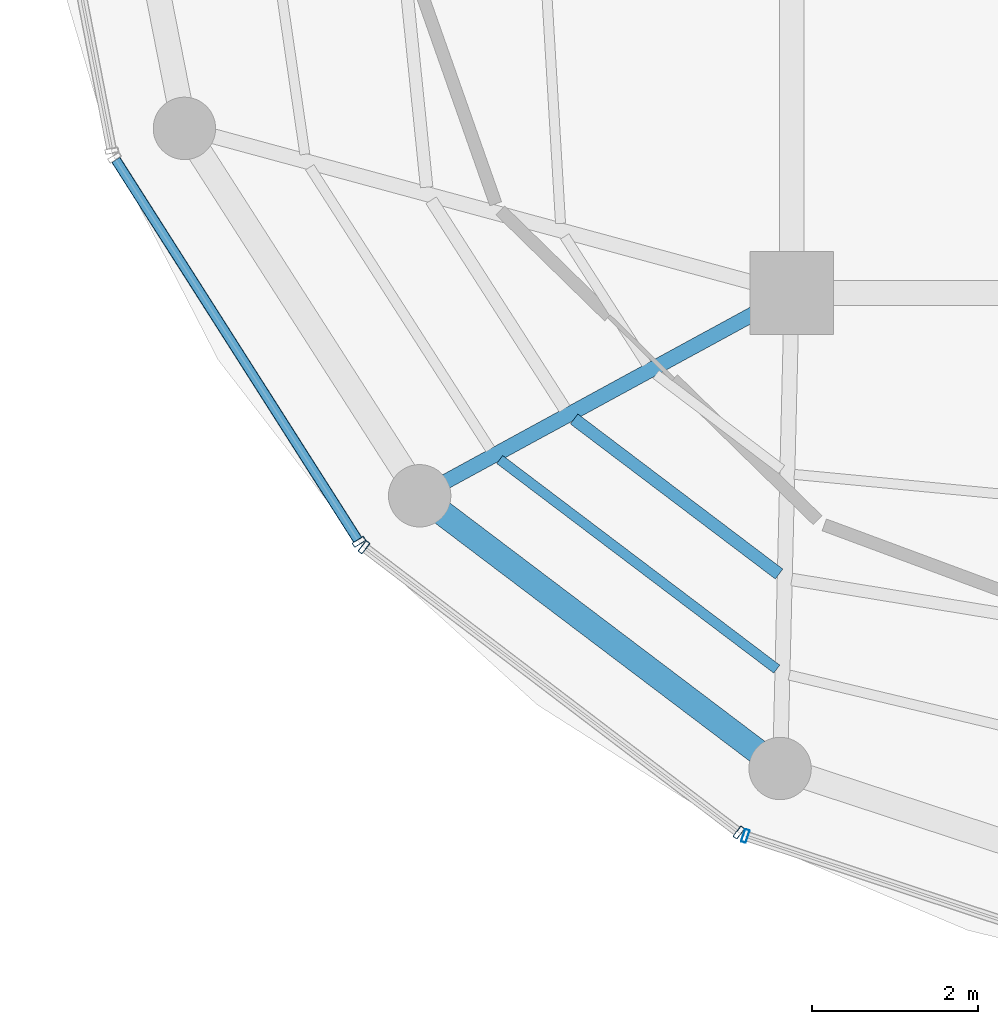
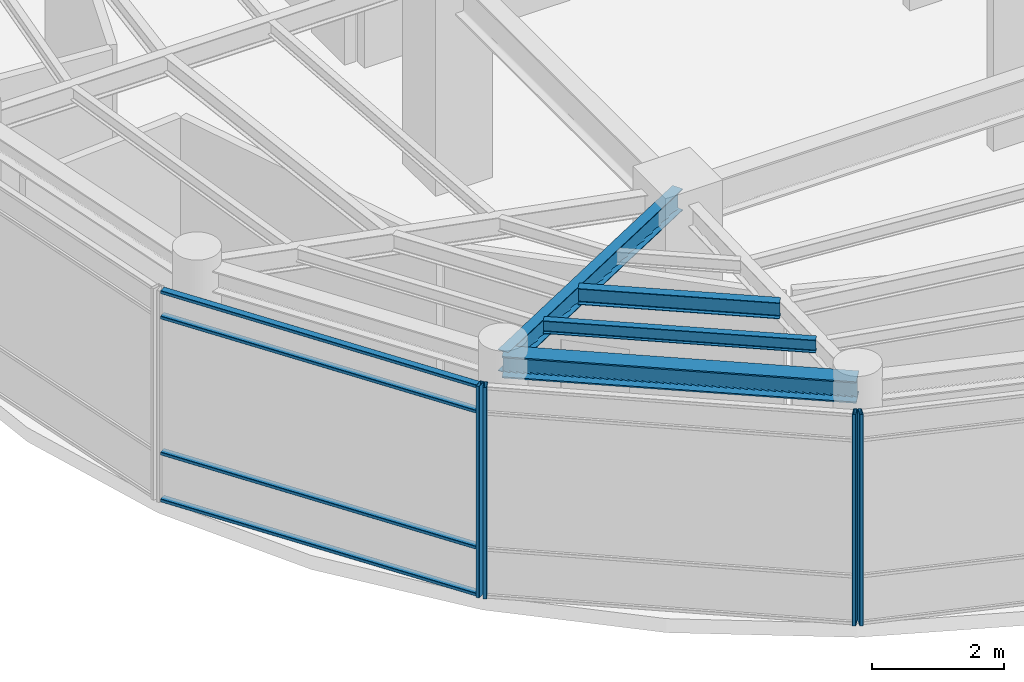
# One storey, part 2 of 19: 8 members, 4 beams, 3 elements without a shape of their own.
"""IFC4 building model written with IfcOpenShell, lengths in metres."""

from ifc_helpers import new_model, si_unit, direction, frame, origin, origin_2d, place, context, subcontext, project, spatial, hollow_rectangle, i_section, extrude, material, layer, layer_set, material_profile, profile_set, type_object, element, aggregate, save


model = new_model("IFC4")

# Units and contexts
model_context = context("Model", 3, precision=1e-05, world=origin(), true_north=direction((0.0, 1.0)))
body_context = subcontext(model_context, "Body", "Model", "MODEL_VIEW")
ifc_project = project(units=[si_unit("LENGTHUNIT", "METRE"), si_unit("AREAUNIT", "SQUARE_METRE"), si_unit("VOLUMEUNIT", "CUBIC_METRE"), si_unit("PLANEANGLEUNIT", "RADIAN"), si_unit("MASSUNIT", "GRAM", prefix="KILO")], contexts=[model_context])

# Site, building, storey
site_placement = place(None, origin())
site = spatial("IfcSite", under=ifc_project, at=site_placement, CompositionType="ELEMENT")
building_placement = place(site_placement, origin())
building = spatial("IfcBuilding", under=site, at=building_placement, Name="Kelanora Arch Commons", CompositionType="ELEMENT")
storey_placement = place(building_placement, frame((0.0, 0.0, 302.699951171875)))
storey = spatial("IfcBuildingStorey", under=building, at=storey_placement, Name="L77", CompositionType="ELEMENT", Elevation=302.699951171875)

# Beams
ifc_material_1 = material(Name="Steel S355", Category="steel")
ifc_material_profile_1 = material_profile(ifc_material_1, i_section(OverallWidth=0.14990234375, OverallDepth=0.300048828125, WebThickness=0.007080078125, FlangeThickness=0.0107421875, FilletRadius=0.014892578125, at=origin_2d()), Name="IPE300")
ifc_profile_set_1 = profile_set([ifc_material_profile_1], Name="Steel S355")
beam_type_1 = type_object("IfcBeamType", Name="BM-JST-01", PredefinedType="JOIST", material=ifc_profile_set_1)
beam_1_placement = place(storey_placement, frame((63.385009765625, 49.487060546875, 3.7900390625), z_axis=(0.797441333972, -0.603396485632, 0.0), x_axis=(0.603396485632, 0.797441333972, 0.0)))
element("IfcBeam", 1, at=beam_1_placement, inside=storey, type_object=beam_type_1, Name="Secondary Chord Joist BJB-22 L77", PredefinedType="JOIST", context=body_context, shape_type="SweptSolid", body=[
    extrude(i_section(OverallWidth=0.14990234375, OverallDepth=0.300048828125, WebThickness=0.007080078125, FlangeThickness=0.0107421875, FilletRadius=0.014892578125, at=origin_2d()), origin(), (0.0, 0.0, 1.0), 3.0888671875),
])
ifc_material_profile_2 = material_profile(ifc_material_1, i_section(OverallWidth=0.1201171875, OverallDepth=0.239990234375, WebThickness=0.006103515625, FlangeThickness=0.009765625, FilletRadius=0.014892578125, at=origin_2d()), Name="IPE240")
ifc_profile_set_2 = profile_set([ifc_material_profile_2], Name="Steel S355")
beam_type_2 = type_object("IfcBeamType", Name="BM-JST-02", PredefinedType="JOIST", material=ifc_profile_set_2)
beam_2_placement = place(storey_placement, frame((62.49072265625, 48.999755859375, 3.820068359375), z_axis=(0.797480905842, -0.603344184373, 0.0), x_axis=(0.603344184373, 0.797480905842, 0.0)))
element("IfcBeam", 2, at=beam_2_placement, inside=storey, type_object=beam_type_2, Name="Secondary Chord Joist BJC-22 L77", PredefinedType="JOIST", context=body_context, shape_type="SweptSolid", body=[
    extrude(i_section(OverallWidth=0.1201171875, OverallDepth=0.239990234375, WebThickness=0.006103515625, FlangeThickness=0.009765625, FilletRadius=0.014892578125, at=origin_2d()), origin(), (0.0, 0.0, 1.0), 4.175048828125),
])
ifc_material_profile_3 = material_profile(ifc_material_1, i_section(OverallWidth=0.179931640625, OverallDepth=0.39990234375, WebThickness=0.008544921875, FlangeThickness=0.013427734375, FilletRadius=0.02099609375, at=origin_2d()), Name="IPE400")
ifc_profile_set_3 = profile_set([ifc_material_profile_3], Name="Steel S355")
beam_type_3 = type_object("IfcBeamType", Name="BM-RAD-Z5", PredefinedType="BEAM", material=ifc_profile_set_3)
beam_3_placement = place(storey_placement, frame((66.0, 51.0, 3.739990234375), z_axis=(-0.878126355987, -0.478428785631, 0.0), x_axis=(0.478428785631, -0.878126355987, 0.0)))
element("IfcBeam", 3, at=beam_3_placement, inside=storey, type_object=beam_type_3, Name="Radial Floor Girder BR-22 L77", PredefinedType="BEAM", context=body_context, shape_type="SweptSolid", body=[
    extrude(i_section(OverallWidth=0.179931640625, OverallDepth=0.39990234375, WebThickness=0.008544921875, FlangeThickness=0.013427734375, FilletRadius=0.02099609375, at=origin_2d()), origin(), (0.0, 0.0, 1.0), 5.091796875),
])
ifc_material_profile_4 = material_profile(ifc_material_1, i_section(OverallWidth=0.300048828125, OverallDepth=0.39990234375, WebThickness=0.013427734375, FlangeThickness=0.02392578125, FilletRadius=0.027099609375, at=origin_2d()), Name="HEB400")
ifc_profile_set_4 = profile_set([ifc_material_profile_4], Name="Steel S355")
beam_type_4 = type_object("IfcBeamType", Name="BM-SPN-Z4", PredefinedType="SPANDREL", material=ifc_profile_set_4)
beam_4_placement = place(storey_placement, frame((61.52880859375, 48.56396484375, 3.739990234375), z_axis=(0.797441458309, -0.603396321309, 0.0), x_axis=(0.603396321309, 0.797441458309, 0.0)))
element("IfcBeam", 4, at=beam_4_placement, inside=storey, type_object=beam_type_4, Name="Perimeter Spandrel Beam BS-22 L77", PredefinedType="SPANDREL", context=body_context, shape_type="SweptSolid", body=[
    extrude(i_section(OverallWidth=0.300048828125, OverallDepth=0.39990234375, WebThickness=0.013427734375, FlangeThickness=0.02392578125, FilletRadius=0.027099609375, at=origin_2d()), origin(), (0.0, 0.0, 1.0), 5.431396484375),
])

# Curtain wall, member
ifc_material_2 = material(Name="Terracotta ceramic-fritted low-E glass and aluminium", Category="masonry")
ifc_layer = layer(ifc_material_2, 0.14990234375)
ifc_layer_set = layer_set([ifc_layer], Name="Terracotta ceramic-fritted low-E glass and aluminium")
curtain_wall_type = type_object("IfcCurtainWallType", Name="CW-SYS-06", PredefinedType="NOTDEFINED", material=ifc_layer_set)
curtain_wall_1_placement = place(storey_placement, origin())
curtain_wall_1 = element("IfcCurtainWall", 5, at=curtain_wall_1_placement, inside=storey, type_object=curtain_wall_type, Name="Unitised Curtain Wall L77-B10", PredefinedType="NOTDEFINED")
ifc_material_3 = material(Name="Powder-coated aluminium terracotta", Category="masonry")
ifc_material_profile_5 = material_profile(ifc_material_3, hollow_rectangle(XDim=0.159912109375, YDim=0.06005859375, WallThickness=0.0048828125, InnerFilletRadius=0.0048828125, OuterFilletRadius=0.010009765625, at=origin_2d()), Name="CWM160x60")
ifc_profile_set_5 = profile_set([ifc_material_profile_5], Name="Powder-coated aluminium terracotta")
member_type_1 = type_object("IfcMemberType", Name="CWM-STD", PredefinedType="MULLION", material=ifc_profile_set_5)
member_1_placement = place(storey_placement, frame((60.7998046875, 48.010498046875, 0.0), z_axis=(0.0, 0.0, 1.0), x_axis=(0.84359225554, 0.536984270154, 0.0)))
member_1 = element("IfcMember", 6, at=member_1_placement, type_object=member_type_1, Name="CW-06 mullion 2", PredefinedType="MULLION", context=body_context, shape_type="SweptSolid", body=[
    extrude(hollow_rectangle(XDim=0.159912109375, YDim=0.06005859375, WallThickness=0.0048828125, InnerFilletRadius=0.0048828125, OuterFilletRadius=0.010009765625, at=origin_2d()), origin(), (0.0, 0.0, 1.0), 3.925048828125),
])

# Curtain wall, members
curtain_wall_2_placement = place(storey_placement, origin())
curtain_wall_2 = element("IfcCurtainWall", 7, at=curtain_wall_2_placement, inside=storey, type_object=curtain_wall_type, Name="Unitised Curtain Wall L77-B11", PredefinedType="NOTDEFINED")
member_2_placement = place(storey_placement, frame((60.85986328125, 47.9453125, 0.0), z_axis=(0.0, 0.0, 1.0), x_axis=(0.605595960801, 0.795772286688, 0.0)))
member_2 = element("IfcMember", 8, at=member_2_placement, type_object=member_type_1, Name="CW-06 mullion 1", PredefinedType="MULLION", context=body_context, shape_type="SweptSolid", body=[
    extrude(hollow_rectangle(XDim=0.159912109375, YDim=0.06005859375, WallThickness=0.0048828125, InnerFilletRadius=0.0048828125, OuterFilletRadius=0.010009765625, at=origin_2d()), origin(), (0.0, 0.0, 1.0), 3.925048828125),
])
member_3_placement = place(storey_placement, frame((65.3642578125, 44.517333984375, 0.0), z_axis=(0.0, 0.0, 1.0), x_axis=(0.605595960801, 0.795772286688, 0.0)))
member_3 = element("IfcMember", 9, at=member_3_placement, type_object=member_type_1, Name="CW-06 mullion 2", PredefinedType="MULLION", context=body_context, shape_type="SweptSolid", body=[
    extrude(hollow_rectangle(XDim=0.159912109375, YDim=0.06005859375, WallThickness=0.0048828125, InnerFilletRadius=0.0048828125, OuterFilletRadius=0.010009765625, at=origin_2d()), origin(), (0.0, 0.0, 1.0), 3.925048828125),
])
aggregate(curtain_wall_2, [member_2, member_3])

# Curtain wall, member
curtain_wall_3_placement = place(storey_placement, origin())
curtain_wall_3 = element("IfcCurtainWall", 10, at=curtain_wall_3_placement, inside=storey, type_object=curtain_wall_type, Name="Unitised Curtain Wall L77-B12", PredefinedType="NOTDEFINED")
member_4_placement = place(storey_placement, frame((65.442626953125, 44.475830078125, 0.0), z_axis=(0.0, 0.0, 1.0), x_axis=(0.313466845323, 0.949599145368, 0.0)))
member_4 = element("IfcMember", 11, at=member_4_placement, type_object=member_type_1, Name="CW-06 mullion 1", PredefinedType="MULLION", context=body_context, shape_type="SweptSolid", body=[
    extrude(hollow_rectangle(XDim=0.159912109375, YDim=0.06005859375, WallThickness=0.0048828125, InnerFilletRadius=0.0048828125, OuterFilletRadius=0.010009765625, at=origin_2d()), origin(), (0.0, 0.0, 1.0), 3.925048828125),
])
aggregate(curtain_wall_3, [member_4])

# Member
ifc_material_profile_6 = material_profile(ifc_material_3, hollow_rectangle(XDim=0.1201171875, YDim=0.06005859375, WallThickness=0.0048828125, InnerFilletRadius=0.0048828125, OuterFilletRadius=0.010009765625, at=origin_2d()), Name="CWT120x60")
ifc_profile_set_6 = profile_set([ifc_material_profile_6], Name="Powder-coated aluminium terracotta")
member_type_2 = type_object("IfcMemberType", Name="CWT-STD", PredefinedType="USERDEFINED", material=ifc_profile_set_6)
member_5_placement = place(storey_placement, frame((57.877685546875, 52.60107421875, 0.030029296875), z_axis=(0.536992252766, -0.843587174197, 0.0), x_axis=(0.843587174197, 0.536992252766, 0.0)))
member_5 = element("IfcMember", 12, at=member_5_placement, type_object=member_type_2, Name="CW-06 transom 1.1", ObjectType="TRANSOM", PredefinedType="USERDEFINED", context=body_context, shape_type="SweptSolid", body=[
    extrude(hollow_rectangle(XDim=0.1201171875, YDim=0.06005859375, WallThickness=0.0048828125, InnerFilletRadius=0.0048828125, OuterFilletRadius=0.010009765625, at=origin_2d()), origin(), (0.0, 0.0, 1.0), 5.41162109375),
])

member_6_placement = place(storey_placement, frame((57.877685546875, 52.60107421875, 0.900146484375), z_axis=(0.536992252766, -0.843587174197, 0.0), x_axis=(0.843587174197, 0.536992252766, 0.0)))
member_6 = element("IfcMember", 13, at=member_6_placement, type_object=member_type_2, Name="CW-06 transom 1.2", ObjectType="TRANSOM", PredefinedType="USERDEFINED", context=body_context, shape_type="SweptSolid", body=[
    extrude(hollow_rectangle(XDim=0.1201171875, YDim=0.06005859375, WallThickness=0.0048828125, InnerFilletRadius=0.0048828125, OuterFilletRadius=0.010009765625, at=origin_2d()), origin(), (0.0, 0.0, 1.0), 5.41162109375),
])

member_7_placement = place(storey_placement, frame((57.877685546875, 52.60107421875, 3.425048828125), z_axis=(0.536992252766, -0.843587174197, 0.0), x_axis=(0.843587174197, 0.536992252766, 0.0)))
member_7 = element("IfcMember", 14, at=member_7_placement, type_object=member_type_2, Name="CW-06 transom 1.3", ObjectType="TRANSOM", PredefinedType="USERDEFINED", context=body_context, shape_type="SweptSolid", body=[
    extrude(hollow_rectangle(XDim=0.1201171875, YDim=0.06005859375, WallThickness=0.0048828125, InnerFilletRadius=0.0048828125, OuterFilletRadius=0.010009765625, at=origin_2d()), origin(), (0.0, 0.0, 1.0), 5.41162109375),
])

member_8_placement = place(storey_placement, frame((57.877685546875, 52.60107421875, 3.89501953125), z_axis=(0.536992252766, -0.843587174197, 0.0), x_axis=(0.843587174197, 0.536992252766, 0.0)))
member_8 = element("IfcMember", 15, at=member_8_placement, type_object=member_type_2, Name="CW-06 transom 1.4", ObjectType="TRANSOM", PredefinedType="USERDEFINED", context=body_context, shape_type="SweptSolid", body=[
    extrude(hollow_rectangle(XDim=0.1201171875, YDim=0.06005859375, WallThickness=0.0048828125, InnerFilletRadius=0.0048828125, OuterFilletRadius=0.010009765625, at=origin_2d()), origin(), (0.0, 0.0, 1.0), 5.41162109375),
])

aggregate(curtain_wall_1, [member_1, member_5, member_6, member_7, member_8])

save(model, "model.ifc")
